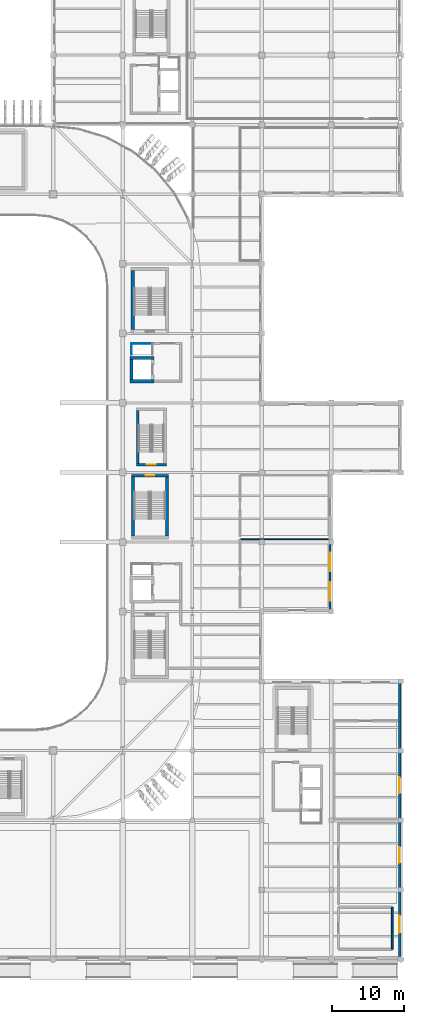
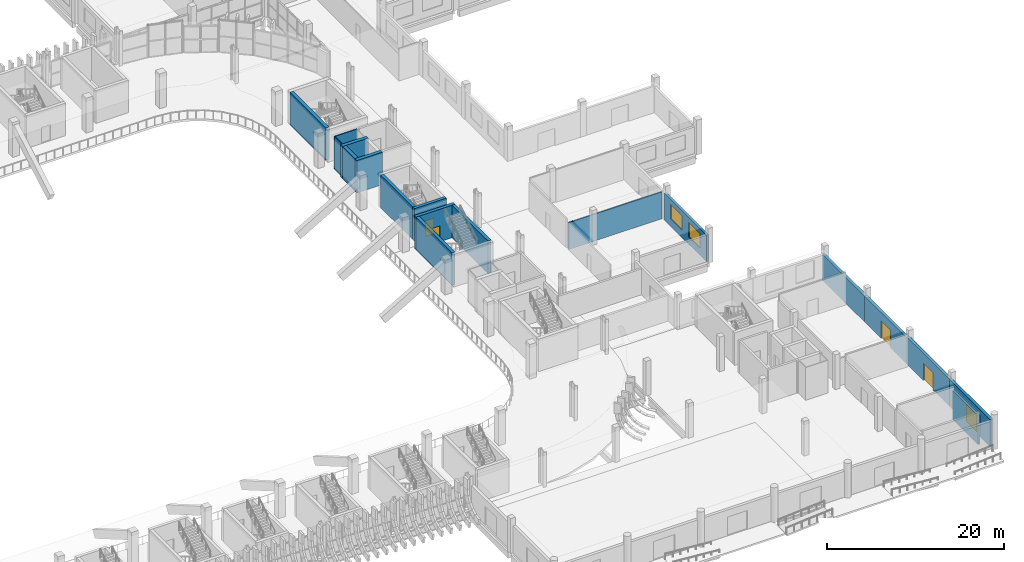
# One storey, part 55 of 100: 18 walls, 5 doors, 2 windows, 7 openings.
"""IFC4 building model written with IfcOpenShell, lengths in metres."""

from ifc_helpers import new_model, si_unit, direction, frame, frame_2d, origin, place, context, subcontext, project, spatial, rectangle, extrude, material, layer, layer_set, type_object, element, fill, save


model = new_model("IFC4")

# Units and contexts
model_context = context("Model", 3, precision=1e-05, world=origin(), true_north=direction((0.0, 1.0)))
body_context = subcontext(model_context, "Body", "Model", "MODEL_VIEW")
ifc_project = project(units=[si_unit("LENGTHUNIT", "METRE"), si_unit("AREAUNIT", "SQUARE_METRE"), si_unit("VOLUMEUNIT", "CUBIC_METRE"), si_unit("PLANEANGLEUNIT", "RADIAN"), si_unit("MASSUNIT", "GRAM", prefix="KILO")], contexts=[model_context])

# Site, building, storey
site_placement = place(None, origin())
site = spatial("IfcSite", under=ifc_project, at=site_placement, CompositionType="ELEMENT")
building_placement = place(site_placement, origin())
building = spatial("IfcBuilding", under=site, at=building_placement, Name="Caelomonte Colonnade Arena", CompositionType="ELEMENT")
storey_placement = place(building_placement, origin())
storey = spatial("IfcBuildingStorey", under=building, at=storey_placement, Name="L00", CompositionType="ELEMENT", Elevation=0.0)

# Wall, openings, windows
ifc_material_1 = material(Name="Precast concrete C40/50", Category="concrete")
ifc_layer_1 = layer(ifc_material_1, 0.2900390625)
ifc_layer_set_1 = layer_set([ifc_layer_1], Name="Precast concrete C40/50")
wall_type_1 = type_object("IfcWallType", Name="ENV-WL-EXT29", PredefinedType="SOLIDWALL", material=ifc_layer_set_1)
wall_1_placement = place(storey_placement, frame((182.219970703125, 48.0, 0.0), z_axis=(0.0, 0.0, 1.0), x_axis=(0.0, 1.0, 0.0)))
wall_1 = element("IfcWall", 1, at=wall_1_placement, inside=storey, type_object=wall_type_1, Name="L00 exterior wall EW-L00-0137", PredefinedType="SOLIDWALL", context=body_context, shape_type="SweptSolid", body=[
    extrude(rectangle(XDim=9.60009765625, YDim=0.2900390625, at=frame_2d((4.800048828125, 0.0))), origin(), (0.0, 0.0, 1.0), 3.699951171875),
])
opening_1_placement = place(wall_1_placement, frame((4.06689453125, 0.0, 1.0), z_axis=(0.0, 0.0, 1.0), x_axis=(-1.0, 0.0, 0.0)))
opening_1 = element("IfcOpeningElement", 2, at=opening_1_placement, cuts=wall_1, Name="Opening WN-10", PredefinedType="OPENING", context=body_context, shape_type="SweptSolid", body=[
    extrude(rectangle(XDim=2.60009765625, YDim=2.0, at=frame_2d((1.300048828125, 1.0))), frame((0.0, 0.155029296875, 0.0), z_axis=(0.0, -1.0, 0.0), x_axis=(1.0, 0.0, 0.0)), (0.0, 0.0, 1.0), 0.31005859375),
])
opening_2_placement = place(wall_1_placement, frame((8.13330078125, 0.0, 1.0), z_axis=(0.0, 0.0, 1.0), x_axis=(-1.0, 0.0, 0.0)))
opening_2 = element("IfcOpeningElement", 3, at=opening_2_placement, cuts=wall_1, Name="Opening WN-10", PredefinedType="OPENING", context=body_context, shape_type="SweptSolid", body=[
    extrude(rectangle(XDim=2.60009765625, YDim=2.0, at=frame_2d((1.300048828125, 1.0))), frame((0.0, 0.155029296875, 0.0), z_axis=(0.0, -1.0, 0.0), x_axis=(1.0, 0.0, 0.0)), (0.0, 0.0, 1.0), 0.31005859375),
])
ifc_material_2 = material(Name="Solar-control bronze low-E double glazing", Category="glass")
window_type = type_object("IfcWindowType", Name="ENV-WN-V4G", PartitioningType="TRIPLE_PANEL_VERTICAL", PredefinedType="WINDOW", material=ifc_material_2)
window_1_placement = place(opening_1_placement, origin())
window_1 = element("IfcWindow", 4, at=window_1_placement, inside=storey, type_object=window_type, Name="L00 facade window 5", OverallHeight=2.0, OverallWidth=2.60009765625, PartitioningType="SINGLE_PANEL", PredefinedType="WINDOW", context=body_context, shape_type="SweptSolid", body=[
    extrude(rectangle(XDim=2.60009765625, YDim=2.0, at=frame_2d((1.300048828125, 1.0))), frame((0.0, 0.030029296875, 0.0), z_axis=(0.0, -1.0, 0.0), x_axis=(1.0, 0.0, 0.0)), (0.0, 0.0, 1.0), 0.06005859375),
])
fill(opening_1, window_1)
window_2_placement = place(opening_2_placement, origin())
window_2 = element("IfcWindow", 5, at=window_2_placement, inside=storey, type_object=window_type, Name="L00 facade window 6", OverallHeight=2.0, OverallWidth=2.60009765625, PartitioningType="SINGLE_PANEL", PredefinedType="WINDOW", context=body_context, shape_type="SweptSolid", body=[
    extrude(rectangle(XDim=2.60009765625, YDim=2.0, at=frame_2d((1.300048828125, 1.0))), frame((0.0, 0.030029296875, 0.0), z_axis=(0.0, -1.0, 0.0), x_axis=(1.0, 0.0, 0.0)), (0.0, 0.0, 1.0), 0.06005859375),
])
fill(opening_2, window_2)

# Wall, opening, door
ifc_layer_2 = layer(ifc_material_1, 0.360107421875)
ifc_layer_set_2 = layer_set([ifc_layer_2], Name="Precast concrete C40/50")
wall_type_2 = type_object("IfcWallType", Name="ENV-WL-EXT36", PredefinedType="SOLIDWALL", material=ifc_layer_set_2)
wall_2_placement = place(storey_placement, frame((191.820068359375, 0.405029296875, 0.0), z_axis=(0.0, 0.0, 1.0), x_axis=(0.0, 1.0, 0.0)))
wall_2 = element("IfcWall", 6, at=wall_2_placement, inside=storey, type_object=wall_type_2, Name="L00 exterior wall EW-L00-0129", PredefinedType="SOLIDWALL", context=body_context, shape_type="SweptSolid", body=[
    extrude(rectangle(XDim=9.195068359375, YDim=0.360107421875, at=frame_2d((4.59765625, 0.0))), origin(), (0.0, 0.0, 1.0), 3.75),
])
opening_3_placement = place(wall_2_placement, frame((5.645263671875, 0.0, 0.0), z_axis=(0.0, 0.0, 1.0), x_axis=(-1.0, 0.0, 0.0)))
opening_3 = element("IfcOpeningElement", 7, at=opening_3_placement, cuts=wall_2, Name="Opening G12", PredefinedType="OPENING", context=body_context, shape_type="SweptSolid", body=[
    extrude(rectangle(XDim=2.39990234375, YDim=2.39990234375, at=frame_2d((1.199951171875, 1.199951171875))), frame((0.0, 0.18994140625, 0.0), z_axis=(0.0, -1.0, 0.0), x_axis=(1.0, 0.0, 0.0)), (0.0, 0.0, 1.0), 0.380126953125),
])
ifc_material_3 = material(Name="Painted galvanized hollow metal and glass", Category="glass")
door_type_1 = type_object("IfcDoorType", Name="ENV-DR-G1", OperationType="DOUBLE_DOOR_SINGLE_SWING", PredefinedType="DOOR", material=ifc_material_3)
door_1_placement = place(opening_3_placement, origin())
door_1 = element("IfcDoor", 8, at=door_1_placement, inside=storey, type_object=door_type_1, Name="Pedestrian exit gate G12", OperationType="DOUBLE_DOOR_SINGLE_SWING", OverallHeight=2.39990234375, OverallWidth=2.39990234375, PredefinedType="DOOR", context=body_context, shape_type="SweptSolid", body=[
    extrude(rectangle(XDim=2.39990234375, YDim=2.39990234375, at=frame_2d((1.199951171875, 1.199951171875))), frame((0.0, 0.02490234375, 0.0), z_axis=(0.0, -1.0, 0.0), x_axis=(1.0, 0.0, 0.0)), (0.0, 0.0, 1.0), 0.050048828125),
])
fill(opening_3, door_1)

wall_3_placement = place(storey_placement, frame((191.820068359375, 9.60009765625, 0.0), z_axis=(0.0, 0.0, 1.0), x_axis=(0.0, 1.0, 0.0)))
wall_3 = element("IfcWall", 9, at=wall_3_placement, inside=storey, type_object=wall_type_2, Name="L00 exterior wall EW-L00-0130", PredefinedType="SOLIDWALL", context=body_context, shape_type="SweptSolid", body=[
    extrude(rectangle(XDim=9.599853515625, YDim=0.360107421875, at=frame_2d((4.7998046875, 0.0))), origin(), (0.0, 0.0, 1.0), 3.75),
])
opening_4_placement = place(wall_3_placement, frame((5.89990234375, 0.0, 0.0), z_axis=(0.0, 0.0, 1.0), x_axis=(-1.0, 0.0, 0.0)))
opening_4 = element("IfcOpeningElement", 10, at=opening_4_placement, cuts=wall_3, Name="Opening G13", PredefinedType="OPENING", context=body_context, shape_type="SweptSolid", body=[
    extrude(rectangle(XDim=2.199951171875, YDim=2.39990234375, at=frame_2d((1.10009765625, 1.199951171875))), frame((0.0, 0.18994140625, 0.0), z_axis=(0.0, -1.0, 0.0), x_axis=(1.0, 0.0, 0.0)), (0.0, 0.0, 1.0), 0.380126953125),
])
ifc_material_4 = material(Name="Painted galvanized hollow metal")
door_type_2 = type_object("IfcDoorType", Name="ENV-DR-G2", OperationType="DOUBLE_DOOR_SINGLE_SWING", PredefinedType="DOOR", material=ifc_material_4)
door_2_placement = place(opening_4_placement, origin())
door_2 = element("IfcDoor", 11, at=door_2_placement, inside=storey, type_object=door_type_2, Name="Pedestrian exit gate G13", OperationType="DOUBLE_DOOR_SINGLE_SWING", OverallHeight=2.39990234375, OverallWidth=2.199951171875, PredefinedType="DOOR", context=body_context, shape_type="SweptSolid", body=[
    extrude(rectangle(XDim=2.199951171875, YDim=2.39990234375, at=frame_2d((1.10009765625, 1.199951171875))), frame((0.0, 0.02490234375, 0.0), z_axis=(0.0, -1.0, 0.0), x_axis=(1.0, 0.0, 0.0)), (0.0, 0.0, 1.0), 0.050048828125),
])
fill(opening_4, door_2)

wall_4_placement = place(storey_placement, frame((191.820068359375, 19.199951171875, 0.0), z_axis=(0.0, 0.0, 1.0), x_axis=(0.0, 1.0, 0.0)))
wall_4 = element("IfcWall", 12, at=wall_4_placement, inside=storey, type_object=wall_type_2, Name="L00 exterior wall EW-L00-0131", PredefinedType="SOLIDWALL", context=body_context, shape_type="SweptSolid", body=[
    extrude(rectangle(XDim=9.60009765625, YDim=0.360107421875, at=frame_2d((4.800048828125, 0.0))), origin(), (0.0, 0.0, 1.0), 3.572998046875),
])
opening_5_placement = place(wall_4_placement, frame((5.89990234375, 0.0, 0.0), z_axis=(0.0, 0.0, 1.0), x_axis=(-1.0, 0.0, 0.0)))
opening_5 = element("IfcOpeningElement", 13, at=opening_5_placement, cuts=wall_4, Name="Opening G14", PredefinedType="OPENING", context=body_context, shape_type="SweptSolid", body=[
    extrude(rectangle(XDim=2.199951171875, YDim=2.39990234375, at=frame_2d((1.10009765625, 1.199951171875))), frame((0.0, 0.18994140625, 0.0), z_axis=(0.0, -1.0, 0.0), x_axis=(1.0, 0.0, 0.0)), (0.0, 0.0, 1.0), 0.380126953125),
])
door_3_placement = place(opening_5_placement, origin())
door_3 = element("IfcDoor", 14, at=door_3_placement, inside=storey, type_object=door_type_2, Name="Pedestrian exit gate G14", OperationType="DOUBLE_DOOR_SINGLE_SWING", OverallHeight=2.39990234375, OverallWidth=2.199951171875, PredefinedType="DOOR", context=body_context, shape_type="SweptSolid", body=[
    extrude(rectangle(XDim=2.199951171875, YDim=2.39990234375, at=frame_2d((1.10009765625, 1.199951171875))), frame((0.0, 0.02490234375, 0.0), z_axis=(0.0, -1.0, 0.0), x_axis=(1.0, 0.0, 0.0)), (0.0, 0.0, 1.0), 0.050048828125),
])
fill(opening_5, door_3)

# Walls
wall_5_placement = place(storey_placement, frame((191.820068359375, 28.800048828125, 0.0), z_axis=(0.0, 0.0, 1.0), x_axis=(0.0, 1.0, 0.0)))
element("IfcWall", 15, at=wall_5_placement, inside=storey, type_object=wall_type_2, Name="L00 exterior wall EW-L00-0132", PredefinedType="SOLIDWALL", context=body_context, shape_type="SweptSolid", body=[
    extrude(rectangle(XDim=9.599853515625, YDim=0.360107421875, at=frame_2d((4.7998046875, 0.0))), origin(), (0.0, 0.0, 1.0), 3.572998046875),
])
ifc_material_5 = material(Name="Concrete C40/50", Category="concrete")
ifc_layer_3 = layer(ifc_material_5, 0.260009765625)
ifc_layer_set_3 = layer_set([ifc_layer_3], Name="Concrete C40/50")
wall_type_3 = type_object("IfcWallType", Name="INT-WL-FW26", PredefinedType="SOLIDWALL", material=ifc_layer_set_3)
wall_6_placement = place(storey_placement, frame((190.800048828125, 7.199951171875, 0.0), z_axis=(0.0, 0.0, 1.0), x_axis=(0.0, -1.0, 0.0)))
element("IfcWall", 16, at=wall_6_placement, inside=storey, type_object=wall_type_3, Name="L00 Fire Command Centre partition 85", PredefinedType="SOLIDWALL", context=body_context, shape_type="SweptSolid", body=[
    extrude(rectangle(XDim=5.800048828125, YDim=0.260009765625, at=frame_2d((2.89990234375, 0.0))), origin(), (0.0, 0.0, 1.0), 3.9716796875),
])
ifc_material_6 = material(Name="Service shaft lining partition")
ifc_layer_4 = layer(ifc_material_6, 0.10009765625)
ifc_layer_set_4 = layer_set([ifc_layer_4], Name="Service shaft lining partition")
wall_type_4 = type_object("IfcWallType", Name="INT-WL-PT10", PredefinedType="PARTITIONING", material=ifc_layer_set_4)
wall_7_placement = place(storey_placement, frame((157.75, 85.0, 0.0), z_axis=(0.0, 0.0, 1.0), x_axis=(-1.0, 0.0, 0.0)))
element("IfcWall", 17, at=wall_7_placement, inside=storey, type_object=wall_type_4, Name="FW-C3-RS L00 north enclosure wall", PredefinedType="PARTITIONING", context=body_context, shape_type="SweptSolid", body=[
    extrude(rectangle(XDim=3.0, YDim=0.10009765625, at=frame_2d((1.5, 0.0))), origin(), (0.0, 0.0, 1.0), 4.5),
])
wall_8_placement = place(storey_placement, frame((154.800048828125, 84.949951171875, 0.0), z_axis=(0.0, 0.0, 1.0), x_axis=(0.0, -1.0, 0.0)))
element("IfcWall", 18, at=wall_8_placement, inside=storey, type_object=wall_type_4, Name="FW-C3-RS L00 west enclosure wall", PredefinedType="PARTITIONING", context=body_context, shape_type="SweptSolid", body=[
    extrude(rectangle(XDim=1.5, YDim=0.10009765625, at=frame_2d((0.75, 0.0))), origin(), (0.0, 0.0, 1.0), 4.5),
])
ifc_material_7 = material(Name="Moisture-resistant WC partition")
ifc_layer_5 = layer(ifc_material_7, 0.159912109375)
ifc_layer_set_5 = layer_set([ifc_layer_5], Name="Moisture-resistant WC partition")
wall_type_5 = type_object("IfcWallType", Name="INT-WL-PT16", PredefinedType="PARTITIONING", material=ifc_layer_set_5)
wall_9_placement = place(storey_placement, frame((169.800048828125, 58.0, 0.0), z_axis=(0.0, 0.0, 1.0), x_axis=(1.0, 0.0, 0.0)))
element("IfcWall", 19, at=wall_9_placement, inside=storey, type_object=wall_type_5, Name="L00 Ground Spectator Restroom partition 74", PredefinedType="PARTITIONING", context=body_context, shape_type="SweptSolid", body=[
    extrude(rectangle(XDim=12.199951171875, YDim=0.159912109375, at=frame_2d((6.10009765625, 0.0))), origin(), (0.0, 0.0, 1.0), 3.699951171875),
])

# Wall, opening, door
ifc_material_8 = material(Name="Concrete C50/60", Category="concrete")
ifc_layer_6 = layer(ifc_material_8, 0.39990234375)
ifc_layer_set_6 = layer_set([ifc_layer_6], Name="Concrete C50/60")
wall_type_6 = type_object("IfcWallType", Name="INT-WL-SH40", PredefinedType="SHEAR", material=ifc_layer_set_6)
wall_10_placement = place(storey_placement, frame((159.89990234375, 66.75, 0.0), z_axis=(0.0, 0.0, 1.0), x_axis=(-1.0, 0.0, 0.0)))
wall_10 = element("IfcWall", 20, at=wall_10_placement, inside=storey, type_object=wall_type_6, Name="CW-ST-10 L00 north enclosure wall", PredefinedType="SHEAR", context=body_context, shape_type="SweptSolid", body=[
    extrude(rectangle(XDim=5.099853515625, YDim=0.39990234375, at=frame_2d((2.5498046875, 0.0))), origin(), (0.0, 0.0, 1.0), 4.5),
])
opening_6_placement = place(wall_10_placement, frame((3.14990234375, 0.0, 0.0), z_axis=(0.0, 0.0, 1.0), x_axis=(-1.0, 0.0, 0.0)))
opening_6 = element("IfcOpeningElement", 21, at=opening_6_placement, cuts=wall_10, Name="Opening FD-1", PredefinedType="OPENING", context=body_context, shape_type="SweptSolid", body=[
    extrude(rectangle(XDim=1.199951171875, YDim=2.199951171875, at=frame_2d((0.60009765625, 1.10009765625))), frame((0.0, 0.2099609375, 0.0), z_axis=(0.0, -1.0, 0.0), x_axis=(1.0, 0.0, 0.0)), (0.0, 0.0, 1.0), 0.419921875),
])
ifc_material_9 = material(Name="Fire-rated steel door", Category="steel")
door_type_3 = type_object("IfcDoorType", Name="INT-DR-FD90A", OperationType="NOTDEFINED", PredefinedType="DOOR", material=ifc_material_9)
door_4_placement = place(opening_6_placement, origin())
door_4 = element("IfcDoor", 22, at=door_4_placement, inside=storey, type_object=door_type_3, Name="Protected exit stair ST-10 L00 fire door", OperationType="SINGLE_SWING_RIGHT", OverallHeight=2.199951171875, OverallWidth=1.199951171875, PredefinedType="DOOR", context=body_context, shape_type="SweptSolid", body=[
    extrude(rectangle(XDim=1.199951171875, YDim=2.199951171875, at=frame_2d((0.60009765625, 1.10009765625))), frame((0.0, 0.02490234375, 0.0), z_axis=(0.0, -1.0, 0.0), x_axis=(1.0, 0.0, 0.0)), (0.0, 0.0, 1.0), 0.050048828125),
])
fill(opening_6, door_4)

# Walls
for number, where, z_axis, x_axis, name in (
    (23, (155.0, 66.550048828125, 0.0), (0.0, 0.0, 1.0), (0.0, -1.0, 0.0), "CW-ST-10 L00 west enclosure wall"),
    (24, (159.699951171875, 58.39990234375, 0.0), (0.0, 0.0, 1.0), (0.0, 1.0, 0.0), "CW-ST-10 L00 east enclosure wall"),
):
    element("IfcWall", number, at=place(storey_placement, frame(where, z_axis=z_axis, x_axis=x_axis)), inside=storey, type_object=wall_type_6, Name=name, PredefinedType="SHEAR", context=body_context, shape_type="SweptSolid", body=[
        extrude(rectangle(XDim=8.150146484375, YDim=0.39990234375, at=frame_2d((4.0751953125, 0.0))), origin(), (0.0, 0.0, 1.0), 4.5),
    ])

# Wall, opening, door
wall_11_placement = place(storey_placement, frame((155.469970703125, 68.27001953125, 0.0), z_axis=(0.0, 0.0, 1.0), x_axis=(1.0, 0.0, 0.0)))
wall_11 = element("IfcWall", 25, at=wall_11_placement, inside=storey, type_object=wall_type_6, Name="CW-ST-V08 L00 south enclosure wall", PredefinedType="SHEAR", context=body_context, shape_type="SweptSolid", body=[
    extrude(rectangle(XDim=4.159912109375, YDim=0.39990234375, at=frame_2d((2.080078125, 0.0))), origin(), (0.0, 0.0, 1.0), 4.5),
])
opening_7_placement = place(wall_11_placement, frame((2.679931640625, 0.0, 0.0), z_axis=(0.0, 0.0, 1.0), x_axis=(-1.0, 0.0, 0.0)))
opening_7 = element("IfcOpeningElement", 26, at=opening_7_placement, cuts=wall_11, Name="Opening FD-1", PredefinedType="OPENING", context=body_context, shape_type="SweptSolid", body=[
    extrude(rectangle(XDim=1.199951171875, YDim=2.199951171875, at=frame_2d((0.60009765625, 1.10009765625))), frame((0.0, 0.2099609375, 0.0), z_axis=(0.0, -1.0, 0.0), x_axis=(1.0, 0.0, 0.0)), (0.0, 0.0, 1.0), 0.419921875),
])
door_5_placement = place(opening_7_placement, origin())
door_5 = element("IfcDoor", 27, at=door_5_placement, inside=storey, type_object=door_type_3, Name="Vomitory VOM-08 stair ST-V08 L00 portal door", OperationType="SINGLE_SWING_RIGHT", OverallHeight=2.199951171875, OverallWidth=1.199951171875, PredefinedType="DOOR", context=body_context, shape_type="SweptSolid", body=[
    extrude(rectangle(XDim=1.199951171875, YDim=2.199951171875, at=frame_2d((0.60009765625, 1.10009765625))), frame((0.0, 0.02490234375, 0.0), z_axis=(0.0, -1.0, 0.0), x_axis=(1.0, 0.0, 0.0)), (0.0, 0.0, 1.0), 0.050048828125),
])
fill(opening_7, door_5)

# Walls
wall_12_placement = place(storey_placement, frame((155.669921875, 75.72998046875, 0.0), z_axis=(0.0, 0.0, 1.0), x_axis=(0.0, -1.0, 0.0)))
element("IfcWall", 28, at=wall_12_placement, inside=storey, type_object=wall_type_6, Name="CW-ST-V08 L00 west enclosure wall", PredefinedType="SHEAR", context=body_context, shape_type="SweptSolid", body=[
    extrude(rectangle(XDim=7.260009765625, YDim=0.39990234375, at=frame_2d((3.6298828125, 0.0))), origin(), (0.0, 0.0, 1.0), 4.5),
])
ifc_layer_7 = layer(ifc_material_8, 0.449951171875)
ifc_layer_set_7 = layer_set([ifc_layer_7], Name="Concrete C50/60")
wall_type_7 = type_object("IfcWallType", Name="INT-WL-SH45", PredefinedType="SHEAR", material=ifc_layer_set_7)
wall_13_placement = place(storey_placement, frame((154.97509765625, 95.050048828125, 0.0), z_axis=(0.0, 0.0, 1.0), x_axis=(0.0, -1.0, 0.0)))
element("IfcWall", 29, at=wall_13_placement, inside=storey, type_object=wall_type_7, Name="CW-C3-ST L00 west enclosure wall", PredefinedType="SHEAR", context=body_context, shape_type="SweptSolid", body=[
    extrude(rectangle(XDim=8.150146484375, YDim=0.449951171875, at=frame_2d((4.0751953125, 0.0))), origin(), (0.0, 0.0, 1.0), 4.5),
])
for number, where, z_axis, x_axis, name in (
    (30, (154.574951171875, 79.800048828125, 0.0), (0.0, 0.0, 1.0), (1.0, 0.0, 0.0), "CW-C3-LF L00 south enclosure wall"),
    (31, (157.925048828125, 83.0, 0.0), (0.0, 0.0, 1.0), (-1.0, 0.0, 0.0), "CW-C3-LF L00 north enclosure wall"),
):
    element("IfcWall", number, at=place(storey_placement, frame(where, z_axis=z_axis, x_axis=x_axis)), inside=storey, type_object=wall_type_7, Name=name, PredefinedType="SHEAR", context=body_context, shape_type="SweptSolid", body=[
        extrude(rectangle(XDim=3.35009765625, YDim=0.449951171875, at=frame_2d((1.675048828125, 0.0))), origin(), (0.0, 0.0, 1.0), 4.5),
    ])
wall_14_placement = place(storey_placement, frame((154.800048828125, 82.77490234375, 0.0), z_axis=(0.0, 0.0, 1.0), x_axis=(0.0, -1.0, 0.0)))
element("IfcWall", 32, at=wall_14_placement, inside=storey, type_object=wall_type_7, Name="CW-C3-LF L00 west enclosure wall", PredefinedType="SHEAR", context=body_context, shape_type="SweptSolid", body=[
    extrude(rectangle(XDim=2.75, YDim=0.449951171875, at=frame_2d((1.375, 0.0))), origin(), (0.0, 0.0, 1.0), 4.5),
])

save(model, "model.ifc")
